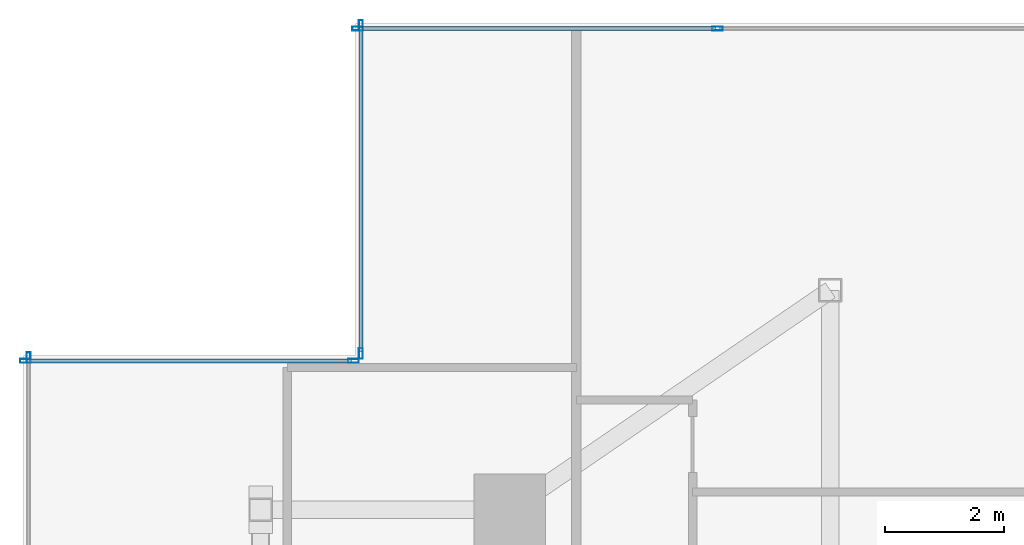
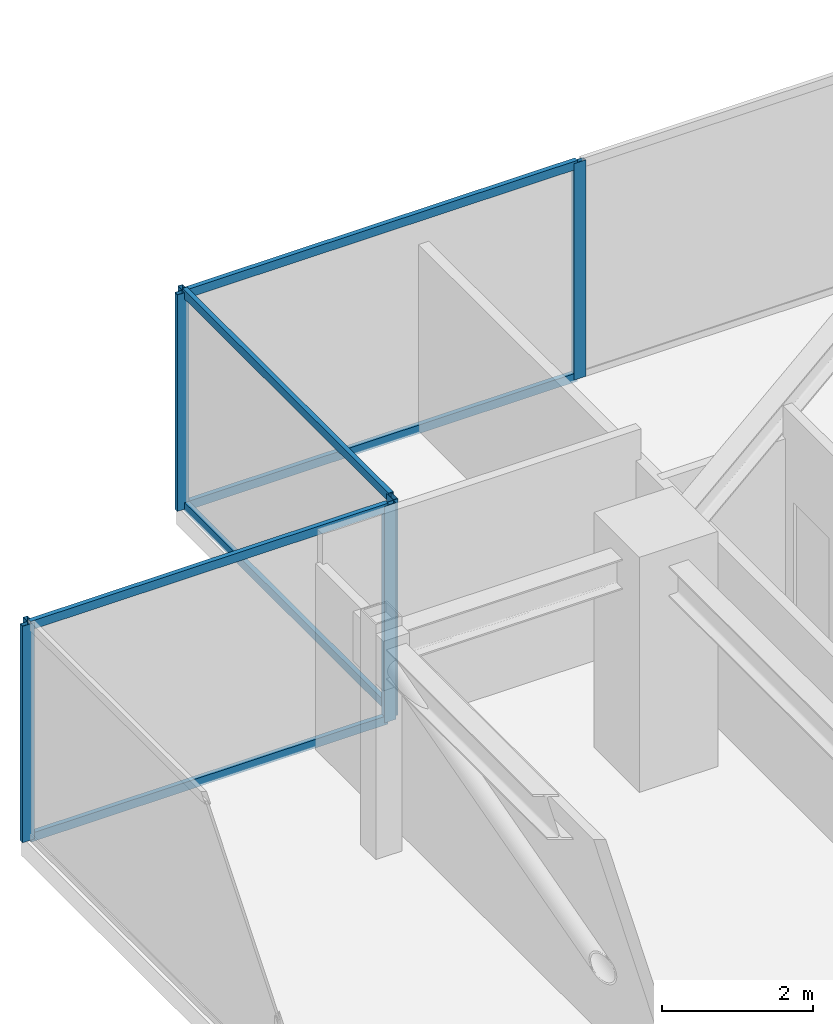
# One storey, part 19 of 25: 13 members, 4 elements without a shape of their own.
"""IFC4 building model written with IfcOpenShell, lengths in metres."""

from ifc_helpers import new_model, si_unit, direction, frame, origin, origin_2d, place, context, subcontext, project, spatial, hollow_rectangle, extrude, source, transform, mapped, material, material_profile, profile_set, type_object, type_shapes, element, aggregate, save


model = new_model("IFC4")

# Units and contexts
model_context = context("Model", 3, precision=1e-05, world=origin(), true_north=direction((0.0, 1.0)))
body_context = subcontext(model_context, "Body", "Model", "MODEL_VIEW")
ifc_project = project(units=[si_unit("LENGTHUNIT", "METRE"), si_unit("AREAUNIT", "SQUARE_METRE"), si_unit("VOLUMEUNIT", "CUBIC_METRE"), si_unit("PLANEANGLEUNIT", "RADIAN"), si_unit("MASSUNIT", "GRAM", prefix="KILO")], contexts=[model_context])

# Site, building, storey
site_placement = place(None, origin())
site = spatial("IfcSite", under=ifc_project, at=site_placement, CompositionType="ELEMENT")
building_placement = place(site_placement, origin())
building = spatial("IfcBuilding", under=site, at=building_placement, Name="Krantzveldt Concourse Tower", CompositionType="ELEMENT")
storey_placement = place(building_placement, frame((0.0, 0.0, 370.85009765625)))
storey = spatial("IfcBuildingStorey", under=building, at=storey_placement, Name="L91", CompositionType="ELEMENT", Elevation=370.85009765625)

# Curtain wall, members
ifc_material = material(Name="Anodised aluminium 6063-T6", Category="aluminium")
curtain_wall_type = type_object("IfcCurtainWallType", Name="CW7", PredefinedType="USERDEFINED", material=ifc_material)
curtain_wall_1_placement = place(storey_placement, origin())
curtain_wall_1 = element("IfcCurtainWall", 1, at=curtain_wall_1_placement, inside=storey, type_object=curtain_wall_type, Name="CW-L91-WEST-02", ObjectType="UNITISED CURTAIN WALL", PredefinedType="USERDEFINED")
ifc_material_profile_1 = material_profile(ifc_material, hollow_rectangle(XDim=0.070068359375, YDim=0.179931640625, WallThickness=0.0048828125, at=origin_2d()), Name="Anodised aluminium 6063-T6", Category="aluminium")
ifc_profile_set_1 = profile_set([ifc_material_profile_1], Name="Anodised aluminium 6063-T6 - ALU-MULL 180x70x5")
member_type_1 = type_object("IfcMemberType", Name="CW-MUL-180", PredefinedType="MULLION", material=ifc_profile_set_1)
shared_shape_1 = source(origin(), body_context, "Body", "SweptSolid", [
    extrude(hollow_rectangle(XDim=0.070068359375, YDim=0.179931640625, WallThickness=0.0048828125, at=origin_2d()), origin(), (0.0, 0.0, 1.0), 3.5),
])
type_shapes(member_type_1, [shared_shape_1])
member_1_placement = place(storey_placement, frame((28.699951171875, 45.610107421875, 0.0), z_axis=(0.0, 0.0, 1.0), x_axis=(0.0, -1.0, 0.0)))
member_1 = element("IfcMember", 2, at=member_1_placement, type_object=member_type_1, Name="CW-CRN mullion 2", PredefinedType="MULLION", context=body_context, shape_type="MappedRepresentation", body=[
    mapped(shared_shape_1, transform((0.0, 0.0, 0.0), x_axis=(1.0, 0.0, 0.0), y_axis=(0.0, 1.0, 0.0), z_axis=(0.0, 0.0, 1.0), scale=1.0)),
])
member_2_placement = place(storey_placement, frame((22.635009765625, 45.610107421875, 0.0), z_axis=(0.0, 0.0, 1.0), x_axis=(0.0, -1.0, 0.0)))
member_2 = element("IfcMember", 3, at=member_2_placement, type_object=member_type_1, Name="CW-CRN mullion 3", PredefinedType="MULLION", context=body_context, shape_type="MappedRepresentation", body=[
    mapped(shared_shape_1, transform((0.0, 0.0, 0.0), x_axis=(1.0, 0.0, 0.0), y_axis=(0.0, 1.0, 0.0), z_axis=(0.0, 0.0, 1.0), scale=1.0)),
])

curtain_wall_2_placement = place(storey_placement, origin())
curtain_wall_2 = element("IfcCurtainWall", 4, at=curtain_wall_2_placement, inside=storey, type_object=curtain_wall_type, Name="CW-L91-WEST-03", ObjectType="UNITISED CURTAIN WALL", PredefinedType="USERDEFINED")
member_3_placement = place(storey_placement, frame((22.68994140625, 45.6650390625, 0.0), z_axis=(0.0, 0.0, 1.0), x_axis=(1.0, 0.0, 0.0)))
member_3 = element("IfcMember", 5, at=member_3_placement, type_object=member_type_1, Name="CW-CRN mullion 1", PredefinedType="MULLION", context=body_context, shape_type="MappedRepresentation", body=[
    mapped(shared_shape_1, transform((0.0, 0.0, 0.0), x_axis=(1.0, 0.0, 0.0), y_axis=(0.0, 1.0, 0.0), z_axis=(0.0, 0.0, 1.0), scale=1.0)),
])
member_4_placement = place(storey_placement, frame((22.68994140625, 40.135009765625, 0.0), z_axis=(0.0, 0.0, 1.0), x_axis=(1.0, 0.0, 0.0)))
member_4 = element("IfcMember", 6, at=member_4_placement, type_object=member_type_1, Name="CW-CRN mullion 2", PredefinedType="MULLION", context=body_context, shape_type="MappedRepresentation", body=[
    mapped(shared_shape_1, transform((0.0, 0.0, 0.0), x_axis=(1.0, 0.0, 0.0), y_axis=(0.0, 1.0, 0.0), z_axis=(0.0, 0.0, 1.0), scale=1.0)),
])

curtain_wall_3_placement = place(storey_placement, origin())
curtain_wall_3 = element("IfcCurtainWall", 7, at=curtain_wall_3_placement, inside=storey, type_object=curtain_wall_type, Name="CW-L91-WEST-04", ObjectType="UNITISED CURTAIN WALL", PredefinedType="USERDEFINED")
member_5_placement = place(storey_placement, frame((22.56494140625, 40.010009765625, 0.0), z_axis=(0.0, 0.0, 1.0), x_axis=(0.0, -1.0, 0.0)))
member_5 = element("IfcMember", 8, at=member_5_placement, type_object=member_type_1, Name="CW-CRN mullion 1", PredefinedType="MULLION", context=body_context, shape_type="MappedRepresentation", body=[
    mapped(shared_shape_1, transform((0.0, 0.0, 0.0), x_axis=(1.0, 0.0, 0.0), y_axis=(0.0, 1.0, 0.0), z_axis=(0.0, 0.0, 1.0), scale=1.0)),
])
member_6_placement = place(storey_placement, frame((17.034912109375, 40.010009765625, 0.0), z_axis=(0.0, 0.0, 1.0), x_axis=(0.0, -1.0, 0.0)))
member_6 = element("IfcMember", 9, at=member_6_placement, type_object=member_type_1, Name="CW-CRN mullion 2", PredefinedType="MULLION", context=body_context, shape_type="MappedRepresentation", body=[
    mapped(shared_shape_1, transform((0.0, 0.0, 0.0), x_axis=(1.0, 0.0, 0.0), y_axis=(0.0, 1.0, 0.0), z_axis=(0.0, 0.0, 1.0), scale=1.0)),
])

# Curtain wall, member
curtain_wall_4_placement = place(storey_placement, origin())
curtain_wall_4 = element("IfcCurtainWall", 10, at=curtain_wall_4_placement, inside=storey, type_object=curtain_wall_type, Name="CW-L91-WEST-05", ObjectType="UNITISED CURTAIN WALL", PredefinedType="USERDEFINED")
member_7_placement = place(storey_placement, frame((17.090087890625, 40.06494140625, 0.0), z_axis=(0.0, 0.0, 1.0), x_axis=(1.0, 0.0, 0.0)))
member_7 = element("IfcMember", 11, at=member_7_placement, type_object=member_type_1, Name="CW-CRN mullion 1", PredefinedType="MULLION", context=body_context, shape_type="MappedRepresentation", body=[
    mapped(shared_shape_1, transform((0.0, 0.0, 0.0), x_axis=(1.0, 0.0, 0.0), y_axis=(0.0, 1.0, 0.0), z_axis=(0.0, 0.0, 1.0), scale=1.0)),
])
aggregate(curtain_wall_4, [member_7])

# Member
ifc_material_profile_2 = material_profile(ifc_material, hollow_rectangle(XDim=0.070068359375, YDim=0.139892578125, WallThickness=0.0048828125, at=origin_2d()), Name="Anodised aluminium 6063-T6", Category="aluminium")
ifc_profile_set_2 = profile_set([ifc_material_profile_2], Name="Anodised aluminium 6063-T6 - ALU-TRAN 140x70x5")
member_type_2 = type_object("IfcMemberType", Name="CW-TRN-150", PredefinedType="USERDEFINED", material=ifc_profile_set_2)
shared_shape_2 = source(origin(), body_context, "Body", "SweptSolid", [
    extrude(hollow_rectangle(XDim=0.070068359375, YDim=0.139892578125, WallThickness=0.0048828125, at=origin_2d()), origin(), (0.0, 0.0, 1.0), 5.4599609375),
])
member_8_placement = place(storey_placement, frame((22.68994140625, 45.6298828125, 0.034912109375), z_axis=(0.0, -1.0, 0.0), x_axis=(1.0, 0.0, 0.0)))
member_8 = element("IfcMember", 12, at=member_8_placement, type_object=member_type_2, Name="CW-CRN transom 1.1", ObjectType="TRANSOM", PredefinedType="USERDEFINED", context=body_context, shape_type="MappedRepresentation", body=[
    mapped(shared_shape_2, transform((0.0, 0.0, 0.0), x_axis=(1.0, 0.0, 0.0), y_axis=(0.0, 1.0, 0.0), z_axis=(0.0, 0.0, 1.0), scale=1.0)),
])

member_9_placement = place(storey_placement, frame((22.68994140625, 45.6298828125, 3.46484375), z_axis=(0.0, -1.0, 0.0), x_axis=(1.0, 0.0, 0.0)))
member_9 = element("IfcMember", 13, at=member_9_placement, type_object=member_type_2, Name="CW-CRN transom 1.2", ObjectType="TRANSOM", PredefinedType="USERDEFINED", context=body_context, shape_type="MappedRepresentation", body=[
    mapped(shared_shape_2, transform((0.0, 0.0, 0.0), x_axis=(1.0, 0.0, 0.0), y_axis=(0.0, 1.0, 0.0), z_axis=(0.0, 0.0, 1.0), scale=1.0)),
])

aggregate(curtain_wall_2, [member_3, member_4, member_8, member_9])

member_10_placement = place(storey_placement, frame((22.530029296875, 40.010009765625, 0.034912109375), z_axis=(-1.0, 0.0, 0.0), x_axis=(0.0, -1.0, 0.0)))
member_10 = element("IfcMember", 14, at=member_10_placement, type_object=member_type_2, Name="CW-CRN transom 1.1", ObjectType="TRANSOM", PredefinedType="USERDEFINED", context=body_context, shape_type="MappedRepresentation", body=[
    mapped(shared_shape_2, transform((0.0, 0.0, 0.0), x_axis=(1.0, 0.0, 0.0), y_axis=(0.0, 1.0, 0.0), z_axis=(0.0, 0.0, 1.0), scale=1.0)),
])

member_11_placement = place(storey_placement, frame((22.530029296875, 40.010009765625, 3.46484375), z_axis=(-1.0, 0.0, 0.0), x_axis=(0.0, -1.0, 0.0)))
member_11 = element("IfcMember", 15, at=member_11_placement, type_object=member_type_2, Name="CW-CRN transom 1.2", ObjectType="TRANSOM", PredefinedType="USERDEFINED", context=body_context, shape_type="MappedRepresentation", body=[
    mapped(shared_shape_2, transform((0.0, 0.0, 0.0), x_axis=(1.0, 0.0, 0.0), y_axis=(0.0, 1.0, 0.0), z_axis=(0.0, 0.0, 1.0), scale=1.0)),
])

aggregate(curtain_wall_3, [member_5, member_6, member_10, member_11])

shared_shape_3 = source(origin(), body_context, "Body", "SweptSolid", [
    extrude(hollow_rectangle(XDim=0.070068359375, YDim=0.139892578125, WallThickness=0.0048828125, at=origin_2d()), origin(), (0.0, 0.0, 1.0), 5.9951171875),
])
type_shapes(member_type_2, [shared_shape_2, shared_shape_3])
member_12_placement = place(storey_placement, frame((28.6650390625, 45.610107421875, 0.034912109375), z_axis=(-1.0, 0.0, 0.0), x_axis=(0.0, -1.0, 0.0)))
member_12 = element("IfcMember", 16, at=member_12_placement, type_object=member_type_2, Name="CW-CRN transom 2.1", ObjectType="TRANSOM", PredefinedType="USERDEFINED", context=body_context, shape_type="MappedRepresentation", body=[
    mapped(shared_shape_3, transform((0.0, 0.0, 0.0), x_axis=(1.0, 0.0, 0.0), y_axis=(0.0, 1.0, 0.0), z_axis=(0.0, 0.0, 1.0), scale=1.0)),
])

member_13_placement = place(storey_placement, frame((28.6650390625, 45.610107421875, 3.46484375), z_axis=(-1.0, 0.0, 0.0), x_axis=(0.0, -1.0, 0.0)))
member_13 = element("IfcMember", 17, at=member_13_placement, type_object=member_type_2, Name="CW-CRN transom 2.2", ObjectType="TRANSOM", PredefinedType="USERDEFINED", context=body_context, shape_type="MappedRepresentation", body=[
    mapped(shared_shape_3, transform((0.0, 0.0, 0.0), x_axis=(1.0, 0.0, 0.0), y_axis=(0.0, 1.0, 0.0), z_axis=(0.0, 0.0, 1.0), scale=1.0)),
])

aggregate(curtain_wall_1, [member_1, member_2, member_12, member_13])

save(model, "model.ifc")
